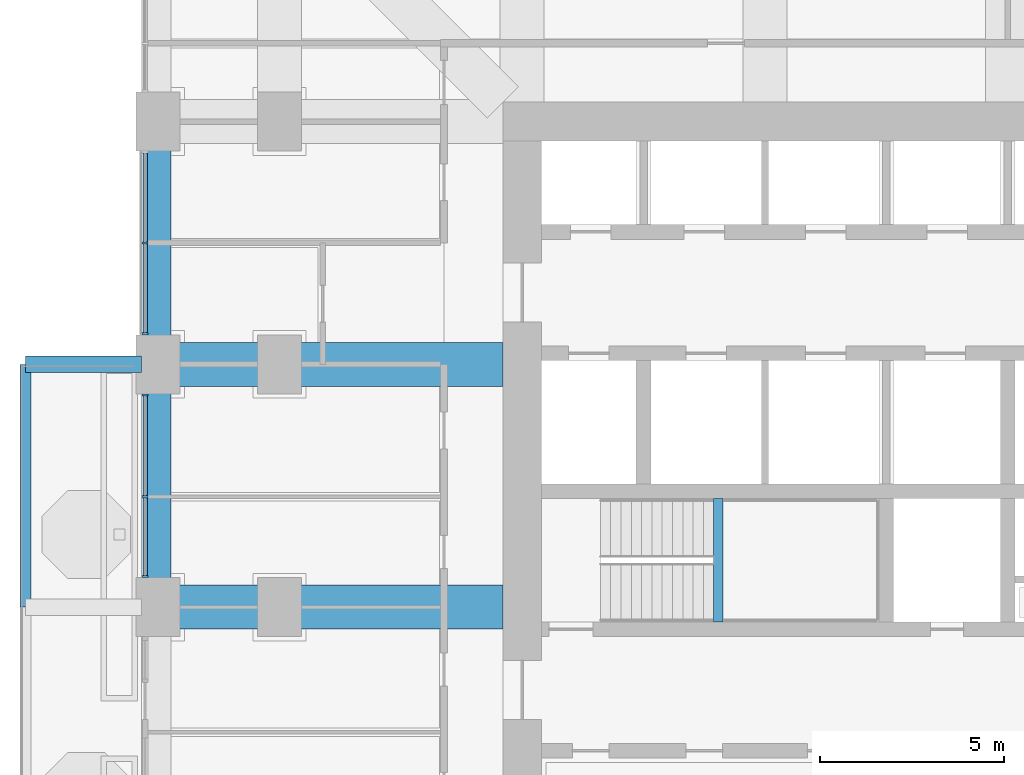
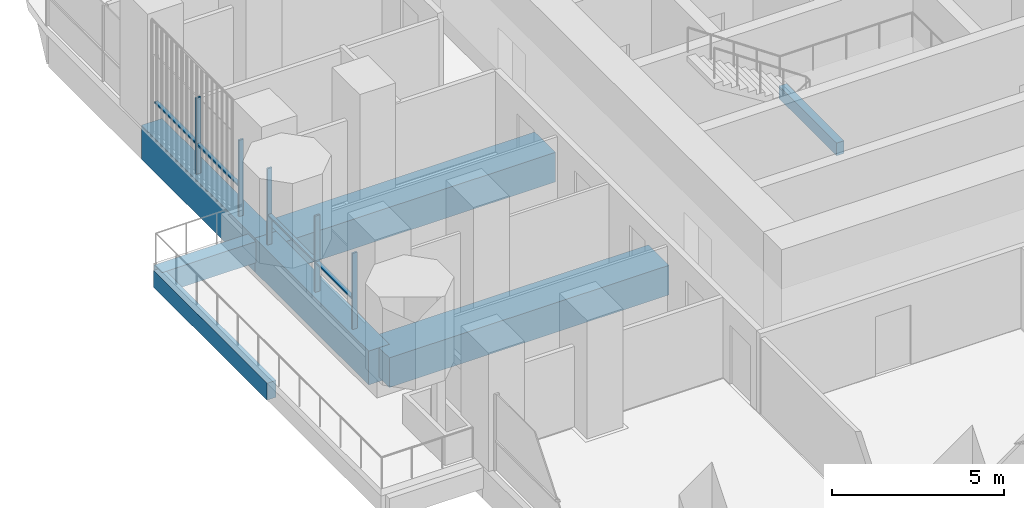
# One storey, part 4 of 20: 9 members, 7 beams, 2 elements without a shape of their own.
"""IFC4 building model written with IfcOpenShell, lengths in metres."""

from ifc_helpers import new_model, si_unit, direction, frame, origin, origin_2d, place, context, subcontext, project, spatial, rectangle, extrude, material, material_profile, profile_set, type_object, element, aggregate, save


model = new_model("IFC4")

# Units and contexts
model_context = context("Model", 3, precision=1e-05, world=origin(), true_north=direction((0.0, 1.0)))
body_context = subcontext(model_context, "Body", "Model", "MODEL_VIEW")
ifc_project = project(units=[si_unit("LENGTHUNIT", "METRE"), si_unit("AREAUNIT", "SQUARE_METRE"), si_unit("VOLUMEUNIT", "CUBIC_METRE"), si_unit("PLANEANGLEUNIT", "RADIAN"), si_unit("MASSUNIT", "GRAM", prefix="KILO")], contexts=[model_context])

# Site, building, storey
site_placement = place(None, origin())
site = spatial("IfcSite", under=ifc_project, at=site_placement, CompositionType="ELEMENT")
building_placement = place(site_placement, origin())
building = spatial("IfcBuilding", under=site, at=building_placement, Name="Cobogo Forest Laboratory Tower", CompositionType="ELEMENT")
storey_placement = place(building_placement, frame((0.0, 0.0, 185.10009765625)))
storey = spatial("IfcBuildingStorey", under=building, at=storey_placement, Name="L42", CompositionType="ELEMENT", Elevation=185.10009765625)

# Beams
ifc_material_1 = material(Name="Concrete HA-40 (C40/50)", Category="concrete")
ifc_material_profile_1 = material_profile(ifc_material_1, rectangle(XDim=0.449951171875, YDim=0.75, at=origin_2d()), Name="RC 450x750")
ifc_profile_set_1 = profile_set([ifc_material_profile_1], Name="Concrete HA-40 (C40/50)")
beam_type_1 = type_object("IfcBeamType", Name="Balcony cantilever beam 450x750", PredefinedType="BEAM", material=ifc_profile_set_1)
beam_1_placement = place(storey_placement, frame((2.85009765625, 26.39990234375, -0.625), z_axis=(-1.0, 0.0, 0.0), x_axis=(0.0, -1.0, 0.0)))
element("IfcBeam", 1, at=beam_1_placement, inside=storey, type_object=beam_type_1, Name="CB1 BAL-W1-C3 L42", PredefinedType="BEAM", context=body_context, shape_type="SweptSolid", body=[
    extrude(rectangle(XDim=0.449951171875, YDim=0.75, at=origin_2d()), origin(), (0.0, 0.0, 1.0), 3.150146484375),
])
ifc_material_profile_2 = material_profile(ifc_material_1, rectangle(XDim=0.300048828125, YDim=0.60009765625, at=origin_2d()), Name="RC 300x600")
ifc_profile_set_2 = profile_set([ifc_material_profile_2], Name="Concrete HA-40 (C40/50)")
beam_type_2 = type_object("IfcBeamType", Name="Balcony edge beam 300x600", PredefinedType="BEAM", material=ifc_profile_set_2)
beam_2_placement = place(storey_placement, frame((-0.300048828125, 19.800048828125, -0.550048828125), z_axis=(0.0, 1.0, 0.0), x_axis=(-1.0, 0.0, 0.0)))
element("IfcBeam", 2, at=beam_2_placement, inside=storey, type_object=beam_type_2, Name="BB1 BAL-W1-T2 L42", PredefinedType="BEAM", context=body_context, shape_type="SweptSolid", body=[
    extrude(rectangle(XDim=0.300048828125, YDim=0.60009765625, at=origin_2d()), origin(), (0.0, 0.0, 1.0), 6.599853515625),
])
ifc_material_profile_3 = material_profile(ifc_material_1, rectangle(XDim=0.25, YDim=0.449951171875, at=origin_2d()), Name="RC 250x450")
ifc_profile_set_3 = profile_set([ifc_material_profile_3], Name="Concrete HA-40 (C40/50)")
beam_type_3 = type_object("IfcBeamType", Name="LB1 landing beam 250x450", PredefinedType="BEAM", material=ifc_profile_set_3)
beam_3_placement = place(storey_placement, frame((18.530029296875, 19.39990234375, 1.6748046875), z_axis=(0.0, 1.0, 0.0), x_axis=(-1.0, 0.0, 0.0)))
element("IfcBeam", 3, at=beam_3_placement, inside=storey, type_object=beam_type_3, Name="Landing beam ST1 L42", PredefinedType="BEAM", context=body_context, shape_type="SweptSolid", body=[
    extrude(rectangle(XDim=0.25, YDim=0.449951171875, at=origin_2d()), origin(), (0.0, 0.0, 1.0), 3.35009765625),
])
ifc_material_profile_4 = material_profile(ifc_material_1, rectangle(XDim=1.199951171875, YDim=1.050048828125, at=origin_2d()), Name="RC 1200x1050")
ifc_profile_set_4 = profile_set([ifc_material_profile_4], Name="Concrete HA-40 (C40/50)")
beam_type_4 = type_object("IfcBeamType", Name="Laboratory floor wide beam 1200x1050", PredefinedType="BEAM", material=ifc_profile_set_4)
for number, where, z_axis, x_axis, name in (
    (4, (12.675048828125, 19.800048828125, -0.8251953125), (-1.0, 0.0, 0.0), (0.0, -1.0, 0.0), "RB1 R-D-W L42"),
    (5, (12.675048828125, 26.39990234375, -0.8251953125), (-1.0, 0.0, 0.0), (0.0, -1.0, 0.0), "RB1 R-E-W L42"),
):
    element("IfcBeam", number, at=place(storey_placement, frame(where, z_axis=z_axis, x_axis=x_axis)), inside=storey, type_object=beam_type_4, Name=name, PredefinedType="BEAM", context=body_context, shape_type="SweptSolid", body=[
        extrude(rectangle(XDim=1.199951171875, YDim=1.050048828125, at=origin_2d()), origin(), (0.0, 0.0, 1.0), 9.375),
    ])

# Curtain wall, members
ifc_material_2 = material(Name="Aluminium curtain wall", Category="aluminium")
curtain_wall_type = type_object("IfcCurtainWallType", Name="CW-2 unitised curtain wall, solar control glazing, laboratory floors zones C and D", PredefinedType="USERDEFINED", material=ifc_material_2)
curtain_wall_1_placement = place(storey_placement, origin())
curtain_wall_1 = element("IfcCurtainWall", 6, at=curtain_wall_1_placement, inside=storey, type_object=curtain_wall_type, Name="Curtain wall 25 L42", ObjectType="UNITISED CURTAIN WALL", PredefinedType="USERDEFINED")
ifc_material_3 = material(Name="Aluminium mullion", Category="aluminium")
ifc_material_profile_5 = material_profile(ifc_material_3, rectangle(XDim=0.06005859375, YDim=0.159912109375, at=origin_2d()), Name="AL 60x160")
ifc_profile_set_5 = profile_set([ifc_material_profile_5], Name="Aluminium mullion")
member_type_1 = type_object("IfcMemberType", Name="MU-1 aluminium mullion 60x160", PredefinedType="MULLION", material=ifc_profile_set_5)
member_1_placement = place(storey_placement, frame((2.949951171875, 29.699951171875, 0.0), z_axis=(0.0, 0.0, 1.0), x_axis=(0.0, -1.0, 0.0)))
member_1 = element("IfcMember", 7, at=member_1_placement, type_object=member_type_1, Name="CW-2 mullion 2", PredefinedType="MULLION", context=body_context, shape_type="SweptSolid", body=[
    extrude(rectangle(XDim=0.06005859375, YDim=0.159912109375, at=origin_2d()), origin(), (0.0, 0.0, 1.0), 2.699951171875),
])
member_2_placement = place(storey_placement, frame((2.949951171875, 27.22998046875, 0.0), z_axis=(0.0, 0.0, 1.0), x_axis=(0.0, -1.0, 0.0)))
member_2 = element("IfcMember", 8, at=member_2_placement, type_object=member_type_1, Name="CW-2 mullion 3", PredefinedType="MULLION", context=body_context, shape_type="SweptSolid", body=[
    extrude(rectangle(XDim=0.06005859375, YDim=0.159912109375, at=origin_2d()), origin(), (0.0, 0.0, 1.0), 2.699951171875),
])

curtain_wall_2_placement = place(storey_placement, origin())
curtain_wall_2 = element("IfcCurtainWall", 9, at=curtain_wall_2_placement, inside=storey, type_object=curtain_wall_type, Name="Curtain wall 26 L42", ObjectType="UNITISED CURTAIN WALL", PredefinedType="USERDEFINED")
member_3_placement = place(storey_placement, frame((2.949951171875, 25.570068359375, 0.0), z_axis=(0.0, 0.0, 1.0), x_axis=(0.0, -1.0, 0.0)))
member_3 = element("IfcMember", 10, at=member_3_placement, type_object=member_type_1, Name="CW-2 mullion 1", PredefinedType="MULLION", context=body_context, shape_type="SweptSolid", body=[
    extrude(rectangle(XDim=0.06005859375, YDim=0.159912109375, at=origin_2d()), origin(), (0.0, 0.0, 1.0), 2.699951171875),
])
member_4_placement = place(storey_placement, frame((2.949951171875, 22.800048828125, 0.0), z_axis=(0.0, 0.0, 1.0), x_axis=(0.0, -1.0, 0.0)))
member_4 = element("IfcMember", 11, at=member_4_placement, type_object=member_type_1, Name="CW-2 mullion 2", PredefinedType="MULLION", context=body_context, shape_type="SweptSolid", body=[
    extrude(rectangle(XDim=0.06005859375, YDim=0.159912109375, at=origin_2d()), origin(), (0.0, 0.0, 1.0), 2.699951171875),
])
member_5_placement = place(storey_placement, frame((2.949951171875, 20.6298828125, 0.0), z_axis=(0.0, 0.0, 1.0), x_axis=(0.0, -1.0, 0.0)))
member_5 = element("IfcMember", 12, at=member_5_placement, type_object=member_type_1, Name="CW-2 mullion 3", PredefinedType="MULLION", context=body_context, shape_type="SweptSolid", body=[
    extrude(rectangle(XDim=0.06005859375, YDim=0.159912109375, at=origin_2d()), origin(), (0.0, 0.0, 1.0), 2.699951171875),
])

# Beams
ifc_material_profile_6 = material_profile(ifc_material_1, rectangle(XDim=0.699951171875, YDim=1.199951171875, at=origin_2d()), Name="RC 700x1200")
ifc_profile_set_6 = profile_set([ifc_material_profile_6], Name="Concrete HA-40 (C40/50)")
beam_type_5 = type_object("IfcBeamType", Name="Perimeter edge beam 700x1200", PredefinedType="BEAM", material=ifc_profile_set_6)
beam_4_placement = place(storey_placement, frame((3.300048828125, 19.800048828125, -0.900146484375), z_axis=(0.0, 1.0, 0.0), x_axis=(-1.0, 0.0, 0.0)))
element("IfcBeam", 13, at=beam_4_placement, inside=storey, type_object=beam_type_5, Name="EB1 E-W2 L42", PredefinedType="BEAM", context=body_context, shape_type="SweptSolid", body=[
    extrude(rectangle(XDim=0.699951171875, YDim=1.199951171875, at=origin_2d()), origin(), (0.0, 0.0, 1.0), 6.599853515625),
])
beam_5_placement = place(storey_placement, frame((3.300048828125, 26.39990234375, -0.900146484375), z_axis=(0.0, 1.0, 0.0), x_axis=(-1.0, 0.0, 0.0)))
element("IfcBeam", 14, at=beam_5_placement, inside=storey, type_object=beam_type_5, Name="EB1 E-W3 L42", PredefinedType="BEAM", context=body_context, shape_type="SweptSolid", body=[
    extrude(rectangle(XDim=0.699951171875, YDim=1.199951171875, at=origin_2d()), origin(), (0.0, 0.0, 1.0), 6.60009765625),
])

# Member
ifc_material_4 = material(Name="Aluminium transom", Category="aluminium")
ifc_material_profile_7 = material_profile(ifc_material_4, rectangle(XDim=0.1201171875, YDim=0.06005859375, at=origin_2d()), Name="AL 60x120")
ifc_profile_set_7 = profile_set([ifc_material_profile_7], Name="Aluminium transom")
member_type_2 = type_object("IfcMemberType", Name="TR-1 aluminium transom 60x120", PredefinedType="USERDEFINED", material=ifc_profile_set_7)
member_6_placement = place(storey_placement, frame((2.949951171875, 32.139892578125, 1.0498046875), z_axis=(0.0, -1.0, 0.0), x_axis=(1.0, 0.0, 0.0)))
member_6 = element("IfcMember", 15, at=member_6_placement, type_object=member_type_2, Name="CW-2 transom 1.1", ObjectType="TRANSOM", PredefinedType="USERDEFINED", context=body_context, shape_type="SweptSolid", body=[
    extrude(rectangle(XDim=0.1201171875, YDim=0.06005859375, at=origin_2d()), origin(), (0.0, 0.0, 1.0), 2.409912109375),
])

member_7_placement = place(storey_placement, frame((2.949951171875, 29.669921875, 1.0498046875), z_axis=(0.0, -1.0, 0.0), x_axis=(1.0, 0.0, 0.0)))
member_7 = element("IfcMember", 16, at=member_7_placement, type_object=member_type_2, Name="CW-2 transom 2.1", ObjectType="TRANSOM", PredefinedType="USERDEFINED", context=body_context, shape_type="SweptSolid", body=[
    extrude(rectangle(XDim=0.1201171875, YDim=0.06005859375, at=origin_2d()), origin(), (0.0, 0.0, 1.0), 2.409912109375),
])

aggregate(curtain_wall_1, [member_1, member_2, member_6, member_7])

member_8_placement = place(storey_placement, frame((2.949951171875, 25.5400390625, 1.0498046875), z_axis=(0.0, -1.0, 0.0), x_axis=(1.0, 0.0, 0.0)))
member_8 = element("IfcMember", 17, at=member_8_placement, type_object=member_type_2, Name="CW-2 transom 1.1", ObjectType="TRANSOM", PredefinedType="USERDEFINED", context=body_context, shape_type="SweptSolid", body=[
    extrude(rectangle(XDim=0.1201171875, YDim=0.06005859375, at=origin_2d()), origin(), (0.0, 0.0, 1.0), 2.7099609375),
])

member_9_placement = place(storey_placement, frame((2.949951171875, 22.77001953125, 1.0498046875), z_axis=(0.0, -1.0, 0.0), x_axis=(1.0, 0.0, 0.0)))
member_9 = element("IfcMember", 18, at=member_9_placement, type_object=member_type_2, Name="CW-2 transom 2.1", ObjectType="TRANSOM", PredefinedType="USERDEFINED", context=body_context, shape_type="SweptSolid", body=[
    extrude(rectangle(XDim=0.1201171875, YDim=0.06005859375, at=origin_2d()), origin(), (0.0, 0.0, 1.0), 2.110107421875),
])

aggregate(curtain_wall_2, [member_3, member_4, member_5, member_8, member_9])

save(model, "model.ifc")
